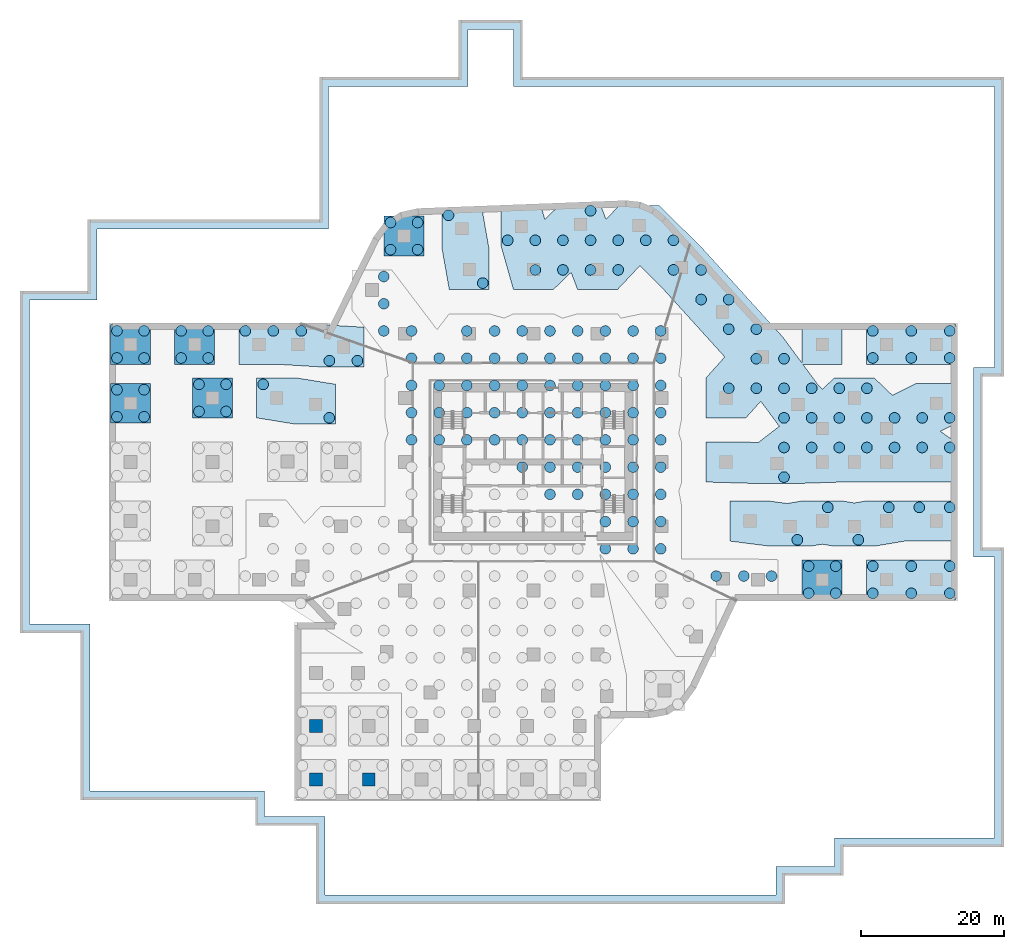
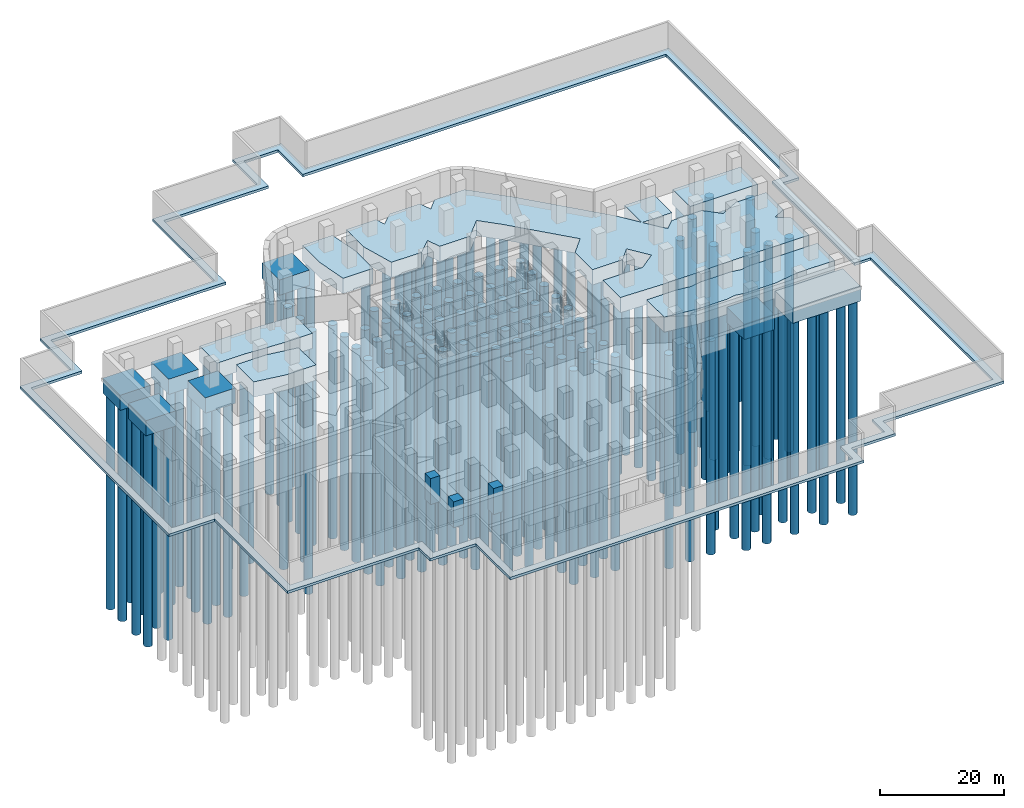
# One storey, part 2 of 12: 164 piles, 14 footings, 3 columns.
"""IFC4 building model written with IfcOpenShell, lengths in metres."""

from ifc_helpers import new_model, si_unit, direction, frame, origin, origin_2d, place, context, subcontext, project, spatial, polyline, rectangle, circle, outline, extrude, material, layer, layer_set, material_profile, profile_set, type_object, element, save


model = new_model("IFC4")

# Units and contexts
model_context = context("Model", 3, precision=1e-05, world=origin(), true_north=direction((0.0, 1.0)))
body_context = subcontext(model_context, "Body", "Model", "MODEL_VIEW")
ifc_project = project(units=[si_unit("LENGTHUNIT", "METRE"), si_unit("AREAUNIT", "SQUARE_METRE"), si_unit("VOLUMEUNIT", "CUBIC_METRE"), si_unit("PLANEANGLEUNIT", "RADIAN"), si_unit("MASSUNIT", "GRAM", prefix="KILO")], contexts=[model_context])

# Site, building, storey
site_placement = place(None, origin())
site = spatial("IfcSite", under=ifc_project, at=site_placement, CompositionType="ELEMENT")
building_placement = place(site_placement, origin())
building = spatial("IfcBuilding", under=site, at=building_placement, Name="Dongbaek Canopy Tower", CompositionType="ELEMENT")
storey_placement = place(building_placement, frame((0.0, 0.0, -17.0)))
storey = spatial("IfcBuildingStorey", under=building, at=storey_placement, Name="B3", CompositionType="ELEMENT", Elevation=-17.0)

# Piles
ifc_material_1 = material(Name="Concrete C40", Category="concrete")
ifc_material_profile_1 = material_profile(ifc_material_1, circle(Radius=0.75, at=origin_2d()), Name="BORED PILE D1500 Concrete C40")
ifc_profile_set_1 = profile_set([ifc_material_profile_1], Name="Concrete C40")
pile_type = type_object("IfcPileType", Name="BORED PILE D1500 Concrete C40", PredefinedType="BORED", material=ifc_profile_set_1)
for number, where, z_axis, x_axis, name in (
    (1, (-58.39990234375, 6.35009765625, -2.85009765625), (0.0, 0.0, -1.0), (1.0, 0.0, 0.0), "PILE:0013"),
    (2, (-58.39990234375, 10.14990234375, -2.85009765625), (0.0, 0.0, -1.0), (1.0, 0.0, 0.0), "PILE:0014"),
    (3, (-54.60009765625, 6.35009765625, -2.85009765625), (0.0, 0.0, -1.0), (1.0, 0.0, 0.0), "PILE:0015"),
    (4, (-54.60009765625, 10.14990234375, -2.85009765625), (0.0, 0.0, -1.0), (1.0, 0.0, 0.0), "PILE:0016"),
    (5, (-58.39990234375, 14.60009765625, -2.85009765625), (0.0, 0.0, -1.0), (1.0, 0.0, 0.0), "PILE:0017"),
    (6, (-58.39990234375, 18.39990234375, -2.85009765625), (0.0, 0.0, -1.0), (1.0, 0.0, 0.0), "PILE:0018"),
    (7, (-54.60009765625, 14.60009765625, -2.85009765625), (0.0, 0.0, -1.0), (1.0, 0.0, 0.0), "PILE:0019"),
    (8, (-54.60009765625, 18.39990234375, -2.85009765625), (0.0, 0.0, -1.0), (1.0, 0.0, 0.0), "PILE:0020"),
    (9, (-49.39990234375, 14.60009765625, -2.85009765625), (0.0, 0.0, -1.0), (1.0, 0.0, 0.0), "PILE:0025"),
    (10, (-49.39990234375, 18.39990234375, -2.85009765625), (0.0, 0.0, -1.0), (1.0, 0.0, 0.0), "PILE:0026"),
    (11, (-45.60009765625, 14.60009765625, -2.85009765625), (0.0, 0.0, -1.0), (1.0, 0.0, 0.0), "PILE:0027"),
    (12, (-45.60009765625, 18.39990234375, -2.85009765625), (0.0, 0.0, -1.0), (1.0, 0.0, 0.0), "PILE:0028"),
    (13, (-46.89990234375, 7.10009765625, -2.85009765625), (0.0, 0.0, -1.0), (1.0, 0.0, 0.0), "PILE:0037"),
    (14, (-46.89990234375, 10.89990234375, -2.85009765625), (0.0, 0.0, -1.0), (1.0, 0.0, 0.0), "PILE:0038"),
    (15, (-43.10009765625, 7.10009765625, -2.85009765625), (0.0, 0.0, -1.0), (1.0, 0.0, 0.0), "PILE:0039"),
    (16, (-43.10009765625, 10.89990234375, -2.85009765625), (0.0, 0.0, -1.0), (1.0, 0.0, 0.0), "PILE:0040"),
    (17, (-20.97900390625, 18.38671875, -3.35009765625), (0.0, 0.0, -1.0), (1.0, 0.0, 0.0), "PILE:0066"),
    (18, (-20.97900390625, 22.205810546875, -3.35009765625), (0.0, 0.0, -1.0), (1.0, 0.0, 0.0), "PILE:0067"),
    (19, (-20.97900390625, 26.02490234375, -3.35009765625), (0.0, 0.0, -1.0), (1.0, 0.0, 0.0), "PILE:0068"),
    (20, (-17.0947265625, 3.1103515625, -3.35009765625), (0.0, 0.0, -1.0), (1.0, 0.0, 0.0), "PILE:0080"),
    (21, (-17.0947265625, 6.929443359375, -3.35009765625), (0.0, 0.0, -1.0), (1.0, 0.0, 0.0), "PILE:0081"),
    (22, (-17.0947265625, 10.74853515625, -3.35009765625), (0.0, 0.0, -1.0), (1.0, 0.0, 0.0), "PILE:0082"),
    (23, (-17.0947265625, 14.567626953125, -3.35009765625), (0.0, 0.0, -1.0), (1.0, 0.0, 0.0), "PILE:0083"),
    (24, (-17.0947265625, 18.38671875, -3.35009765625), (0.0, 0.0, -1.0), (1.0, 0.0, 0.0), "PILE:0084"),
    (25, (-13.21044921875, 3.1103515625, -3.35009765625), (0.0, 0.0, -1.0), (1.0, 0.0, 0.0), "PILE:0096"),
    (26, (-13.21044921875, 6.929443359375, -3.35009765625), (0.0, 0.0, -1.0), (1.0, 0.0, 0.0), "PILE:0097"),
    (27, (-13.21044921875, 10.74853515625, -3.35009765625), (0.0, 0.0, -1.0), (1.0, 0.0, 0.0), "PILE:0098"),
    (28, (-13.21044921875, 14.567626953125, -3.35009765625), (0.0, 0.0, -1.0), (1.0, 0.0, 0.0), "PILE:0099"),
    (29, (-9.326416015625, 3.1103515625, -3.35009765625), (0.0, 0.0, -1.0), (1.0, 0.0, 0.0), "PILE:0111"),
    (30, (-9.326416015625, 6.929443359375, -3.35009765625), (0.0, 0.0, -1.0), (1.0, 0.0, 0.0), "PILE:0112"),
    (31, (-9.326416015625, 10.74853515625, -3.35009765625), (0.0, 0.0, -1.0), (1.0, 0.0, 0.0), "PILE:0113"),
    (32, (-9.326416015625, 14.567626953125, -3.35009765625), (0.0, 0.0, -1.0), (1.0, 0.0, 0.0), "PILE:0114"),
    (33, (-9.326416015625, 18.38671875, -3.35009765625), (0.0, 0.0, -1.0), (1.0, 0.0, 0.0), "PILE:0115"),
    (34, (-5.442138671875, 3.1103515625, -3.35009765625), (0.0, 0.0, -1.0), (1.0, 0.0, 0.0), "PILE:0127"),
    (35, (-5.442138671875, 6.929443359375, -3.35009765625), (0.0, 0.0, -1.0), (1.0, 0.0, 0.0), "PILE:0128"),
    (36, (-5.442138671875, 10.74853515625, -3.35009765625), (0.0, 0.0, -1.0), (1.0, 0.0, 0.0), "PILE:0129"),
    (37, (-5.442138671875, 14.567626953125, -3.35009765625), (0.0, 0.0, -1.0), (1.0, 0.0, 0.0), "PILE:0130"),
    (38, (-5.442138671875, 18.38671875, -3.35009765625), (0.0, 0.0, -1.0), (1.0, 0.0, 0.0), "PILE:0131"),
    (39, (-1.557861328125, -0.708740234375, -3.35009765625), (0.0, 0.0, -1.0), (1.0, 0.0, 0.0), "PILE:0142"),
    (40, (-1.557861328125, 3.1103515625, -3.35009765625), (0.0, 0.0, -1.0), (1.0, 0.0, 0.0), "PILE:0143"),
    (41, (-1.557861328125, 6.929443359375, -3.35009765625), (0.0, 0.0, -1.0), (1.0, 0.0, 0.0), "PILE:0144"),
    (42, (-1.557861328125, 10.74853515625, -3.35009765625), (0.0, 0.0, -1.0), (1.0, 0.0, 0.0), "PILE:0145"),
    (43, (-1.557861328125, 14.567626953125, -3.35009765625), (0.0, 0.0, -1.0), (1.0, 0.0, 0.0), "PILE:0146"),
    (44, (-1.557861328125, 18.38671875, -3.35009765625), (0.0, 0.0, -1.0), (1.0, 0.0, 0.0), "PILE:0147"),
    (45, (2.326416015625, -4.52783203125, -3.35009765625), (0.0, 0.0, -1.0), (1.0, 0.0, 0.0), "PILE:0157"),
    (46, (2.326416015625, -0.708740234375, -3.35009765625), (0.0, 0.0, -1.0), (1.0, 0.0, 0.0), "PILE:0158"),
    (47, (2.326416015625, 3.1103515625, -3.35009765625), (0.0, 0.0, -1.0), (1.0, 0.0, 0.0), "PILE:0159"),
    (48, (2.326416015625, 6.929443359375, -3.35009765625), (0.0, 0.0, -1.0), (1.0, 0.0, 0.0), "PILE:0160"),
    (49, (2.326416015625, 10.74853515625, -3.35009765625), (0.0, 0.0, -1.0), (1.0, 0.0, 0.0), "PILE:0161"),
    (50, (2.326416015625, 14.567626953125, -3.35009765625), (0.0, 0.0, -1.0), (1.0, 0.0, 0.0), "PILE:0162"),
    (51, (2.326416015625, 18.38671875, -3.35009765625), (0.0, 0.0, -1.0), (1.0, 0.0, 0.0), "PILE:0163"),
    (52, (6.21044921875, -4.52783203125, -3.35009765625), (0.0, 0.0, -1.0), (1.0, 0.0, 0.0), "PILE:0173"),
    (53, (6.21044921875, -0.708740234375, -3.35009765625), (0.0, 0.0, -1.0), (1.0, 0.0, 0.0), "PILE:0174"),
    (54, (6.21044921875, 3.1103515625, -3.35009765625), (0.0, 0.0, -1.0), (1.0, 0.0, 0.0), "PILE:0175"),
    (55, (6.21044921875, 6.929443359375, -3.35009765625), (0.0, 0.0, -1.0), (1.0, 0.0, 0.0), "PILE:0176"),
    (56, (6.21044921875, 10.74853515625, -3.35009765625), (0.0, 0.0, -1.0), (1.0, 0.0, 0.0), "PILE:0177"),
    (57, (6.21044921875, 14.567626953125, -3.35009765625), (0.0, 0.0, -1.0), (1.0, 0.0, 0.0), "PILE:0178"),
    (58, (6.21044921875, 18.38671875, -3.35009765625), (0.0, 0.0, -1.0), (1.0, 0.0, 0.0), "PILE:0179"),
    (59, (10.0947265625, -12.166259765625, -3.35009765625), (0.0, 0.0, -1.0), (1.0, 0.0, 0.0), "PILE:0184"),
    (60, (10.0947265625, -8.34716796875, -3.35009765625), (0.0, 0.0, -1.0), (1.0, 0.0, 0.0), "PILE:0185"),
    (61, (10.0947265625, -4.52783203125, -3.35009765625), (0.0, 0.0, -1.0), (1.0, 0.0, 0.0), "PILE:0186"),
    (62, (10.0947265625, -0.708740234375, -3.35009765625), (0.0, 0.0, -1.0), (1.0, 0.0, 0.0), "PILE:0187"),
    (63, (10.0947265625, 3.1103515625, -3.35009765625), (0.0, 0.0, -1.0), (1.0, 0.0, 0.0), "PILE:0188"),
    (64, (10.0947265625, 6.929443359375, -3.35009765625), (0.0, 0.0, -1.0), (1.0, 0.0, 0.0), "PILE:0189"),
    (65, (10.0947265625, 10.74853515625, -3.35009765625), (0.0, 0.0, -1.0), (1.0, 0.0, 0.0), "PILE:0190"),
    (66, (10.0947265625, 14.567626953125, -3.35009765625), (0.0, 0.0, -1.0), (1.0, 0.0, 0.0), "PILE:0191"),
    (67, (10.0947265625, 18.38671875, -3.35009765625), (0.0, 0.0, -1.0), (1.0, 0.0, 0.0), "PILE:0192"),
    (68, (13.97900390625, -12.166259765625, -3.35009765625), (0.0, 0.0, -1.0), (1.0, 0.0, 0.0), "PILE:0194"),
    (69, (13.97900390625, -8.34716796875, -3.35009765625), (0.0, 0.0, -1.0), (1.0, 0.0, 0.0), "PILE:0195"),
    (70, (13.97900390625, -4.52783203125, -3.35009765625), (0.0, 0.0, -1.0), (1.0, 0.0, 0.0), "PILE:0196"),
    (71, (13.97900390625, -0.708740234375, -3.35009765625), (0.0, 0.0, -1.0), (1.0, 0.0, 0.0), "PILE:0197"),
    (72, (13.97900390625, 3.1103515625, -3.35009765625), (0.0, 0.0, -1.0), (1.0, 0.0, 0.0), "PILE:0198"),
    (73, (13.97900390625, 6.929443359375, -3.35009765625), (0.0, 0.0, -1.0), (1.0, 0.0, 0.0), "PILE:0199"),
    (74, (13.97900390625, 10.74853515625, -3.35009765625), (0.0, 0.0, -1.0), (1.0, 0.0, 0.0), "PILE:0200"),
    (75, (13.97900390625, 14.567626953125, -3.35009765625), (0.0, 0.0, -1.0), (1.0, 0.0, 0.0), "PILE:0201"),
    (76, (13.97900390625, 18.38671875, -3.35009765625), (0.0, 0.0, -1.0), (1.0, 0.0, 0.0), "PILE:0202"),
    (77, (17.86328125, -12.166259765625, -3.35009765625), (0.0, 0.0, -1.0), (1.0, 0.0, 0.0), "PILE:0205"),
    (78, (17.86328125, -8.34716796875, -3.35009765625), (0.0, 0.0, -1.0), (1.0, 0.0, 0.0), "PILE:0206"),
    (79, (17.86328125, -4.52783203125, -3.35009765625), (0.0, 0.0, -1.0), (1.0, 0.0, 0.0), "PILE:0207"),
    (80, (17.86328125, -0.708740234375, -3.35009765625), (0.0, 0.0, -1.0), (1.0, 0.0, 0.0), "PILE:0208"),
    (81, (17.86328125, 3.1103515625, -3.35009765625), (0.0, 0.0, -1.0), (1.0, 0.0, 0.0), "PILE:0209"),
    (82, (17.86328125, 6.929443359375, -3.35009765625), (0.0, 0.0, -1.0), (1.0, 0.0, 0.0), "PILE:0210"),
    (83, (17.86328125, 10.74853515625, -3.35009765625), (0.0, 0.0, -1.0), (1.0, 0.0, 0.0), "PILE:0211"),
    (84, (17.86328125, 14.567626953125, -3.35009765625), (0.0, 0.0, -1.0), (1.0, 0.0, 0.0), "PILE:0212"),
    (85, (17.86328125, 18.38671875, -3.35009765625), (0.0, 0.0, -1.0), (1.0, 0.0, 0.0), "PILE:0213"),
    (86, (25.631591796875, -15.9853515625, -3.35009765625), (0.0, 0.0, -1.0), (1.0, 0.0, 0.0), "PILE:0217"),
    (87, (29.515869140625, -15.9853515625, -3.35009765625), (0.0, 0.0, -1.0), (1.0, 0.0, 0.0), "PILE:0218"),
    (88, (33.39990234375, -15.9853515625, -3.35009765625), (0.0, 0.0, -1.0), (1.0, 0.0, 0.0), "PILE:0219"),
    (89, (-40.39990234375, 18.39990234375, -2.85009765625), (0.0, 0.0, -1.0), (1.0, 0.0, 0.0), "PILE:0220"),
    (90, (-36.471435546875, 18.39990234375, -2.85009765625), (0.0, 0.0, -1.0), (1.0, 0.0, 0.0), "PILE:0221"),
    (91, (-32.54296875, 18.39990234375, -2.85009765625), (0.0, 0.0, -1.0), (1.0, 0.0, 0.0), "PILE:0222"),
    (92, (-28.614501953125, 14.218017578125, -2.85009765625), (0.0, 0.0, -1.0), (1.0, 0.0, 0.0), "PILE:0223"),
    (93, (-24.68603515625, 14.218017578125, -2.85009765625), (0.0, 0.0, -1.0), (1.0, 0.0, 0.0), "PILE:0224"),
    (94, (-37.89990234375, 10.89990234375, -2.85009765625), (0.0, 0.0, -1.0), (1.0, 0.0, 0.0), "PILE:0225"),
    (95, (-28.625, 6.2109375, -2.85009765625), (0.0, 0.0, -1.0), (1.0, 0.0, 0.0), "PILE:0226"),
    (96, (-20.0390625, 29.799072265625, -2.85009765625), (0.0, 0.0, -1.0), (1.0, 0.0, 0.0), "PILE:0251"),
    (97, (-20.0390625, 33.59912109375, -2.85009765625), (0.0, 0.0, -1.0), (1.0, 0.0, 0.0), "PILE:0252"),
    (98, (-16.239013671875, 29.799072265625, -2.85009765625), (0.0, 0.0, -1.0), (1.0, 0.0, 0.0), "PILE:0253"),
    (99, (-16.239013671875, 33.59912109375, -2.85009765625), (0.0, 0.0, -1.0), (1.0, 0.0, 0.0), "PILE:0254"),
    (100, (-11.906005859375, 34.614013671875, -2.85009765625), (0.0, 0.0, -1.0), (1.0, 0.0, 0.0), "PILE:0259"),
    (101, (-7.10009765625, 25.10009765625, -2.85009765625), (0.0, 0.0, -1.0), (1.0, 0.0, 0.0), "PILE:0260"),
    (102, (-3.60791015625, 31.0986328125, -2.85009765625), (0.0, 0.0, -1.0), (1.0, 0.0, 0.0), "PILE:0265"),
    (103, (0.267578125, 26.947998046875, -2.85009765625), (0.0, 0.0, -1.0), (1.0, 0.0, 0.0), "PILE:0266"),
    (104, (0.267578125, 31.0986328125, -2.85009765625), (0.0, 0.0, -1.0), (1.0, 0.0, 0.0), "PILE:0267"),
    (105, (4.14306640625, 26.947998046875, -2.85009765625), (0.0, 0.0, -1.0), (1.0, 0.0, 0.0), "PILE:0268"),
    (106, (4.14306640625, 31.0986328125, -2.85009765625), (0.0, 0.0, -1.0), (1.0, 0.0, 0.0), "PILE:0269"),
    (107, (8.0185546875, 26.947998046875, -2.85009765625), (0.0, 0.0, -1.0), (1.0, 0.0, 0.0), "PILE:0270"),
    (108, (8.0185546875, 31.0986328125, -2.85009765625), (0.0, 0.0, -1.0), (1.0, 0.0, 0.0), "PILE:0271"),
    (109, (8.0185546875, 35.2490234375, -2.85009765625), (0.0, 0.0, -1.0), (1.0, 0.0, 0.0), "PILE:0272"),
    (110, (11.89404296875, 26.947998046875, -2.85009765625), (0.0, 0.0, -1.0), (1.0, 0.0, 0.0), "PILE:0273"),
    (111, (11.89404296875, 31.0986328125, -2.85009765625), (0.0, 0.0, -1.0), (1.0, 0.0, 0.0), "PILE:0274"),
    (112, (15.76953125, 31.0986328125, -2.85009765625), (0.0, 0.0, -1.0), (1.0, 0.0, 0.0), "PILE:0275"),
    (113, (19.64501953125, 26.947998046875, -2.85009765625), (0.0, 0.0, -1.0), (1.0, 0.0, 0.0), "PILE:0276"),
    (114, (19.64501953125, 31.0986328125, -2.85009765625), (0.0, 0.0, -1.0), (1.0, 0.0, 0.0), "PILE:0277"),
    (115, (23.5205078125, 22.797607421875, -2.85009765625), (0.0, 0.0, -1.0), (1.0, 0.0, 0.0), "PILE:0278"),
    (116, (23.5205078125, 26.947998046875, -2.85009765625), (0.0, 0.0, -1.0), (1.0, 0.0, 0.0), "PILE:0279"),
    (117, (27.39599609375, 10.34619140625, -2.85009765625), (0.0, 0.0, -1.0), (1.0, 0.0, 0.0), "PILE:0280"),
    (118, (27.39599609375, 18.647216796875, -2.85009765625), (0.0, 0.0, -1.0), (1.0, 0.0, 0.0), "PILE:0281"),
    (119, (27.39599609375, 22.797607421875, -2.85009765625), (0.0, 0.0, -1.0), (1.0, 0.0, 0.0), "PILE:0282"),
    (120, (31.271484375, 10.34619140625, -2.85009765625), (0.0, 0.0, -1.0), (1.0, 0.0, 0.0), "PILE:0283"),
    (121, (31.271484375, 14.496826171875, -2.85009765625), (0.0, 0.0, -1.0), (1.0, 0.0, 0.0), "PILE:0284"),
    (122, (31.271484375, 18.647216796875, -2.85009765625), (0.0, 0.0, -1.0), (1.0, 0.0, 0.0), "PILE:0285"),
    (123, (35.14697265625, -2.10498046875, -2.85009765625), (0.0, 0.0, -1.0), (1.0, 0.0, 0.0), "PILE:0286"),
    (124, (35.14697265625, 2.04541015625, -2.85009765625), (0.0, 0.0, -1.0), (1.0, 0.0, 0.0), "PILE:0287"),
    (125, (35.14697265625, 6.19580078125, -2.85009765625), (0.0, 0.0, -1.0), (1.0, 0.0, 0.0), "PILE:0288"),
    (126, (35.14697265625, 10.34619140625, -2.85009765625), (0.0, 0.0, -1.0), (1.0, 0.0, 0.0), "PILE:0289"),
    (127, (35.14697265625, 14.496826171875, -2.85009765625), (0.0, 0.0, -1.0), (1.0, 0.0, 0.0), "PILE:0290"),
    (128, (39.0224609375, 2.04541015625, -2.85009765625), (0.0, 0.0, -1.0), (1.0, 0.0, 0.0), "PILE:0291"),
    (129, (39.0224609375, 6.19580078125, -2.85009765625), (0.0, 0.0, -1.0), (1.0, 0.0, 0.0), "PILE:0292"),
    (130, (39.0224609375, 10.34619140625, -2.85009765625), (0.0, 0.0, -1.0), (1.0, 0.0, 0.0), "PILE:0293"),
    (131, (42.89794921875, 2.04541015625, -2.85009765625), (0.0, 0.0, -1.0), (1.0, 0.0, 0.0), "PILE:0294"),
    (132, (42.89794921875, 6.19580078125, -2.85009765625), (0.0, 0.0, -1.0), (1.0, 0.0, 0.0), "PILE:0295"),
    (133, (42.89794921875, 10.34619140625, -2.85009765625), (0.0, 0.0, -1.0), (1.0, 0.0, 0.0), "PILE:0296"),
    (134, (46.7734375, 2.04541015625, -2.85009765625), (0.0, 0.0, -1.0), (1.0, 0.0, 0.0), "PILE:0297"),
    (135, (46.7734375, 6.19580078125, -2.85009765625), (0.0, 0.0, -1.0), (1.0, 0.0, 0.0), "PILE:0298"),
    (136, (46.7734375, 10.34619140625, -2.85009765625), (0.0, 0.0, -1.0), (1.0, 0.0, 0.0), "PILE:0299"),
    (137, (50.64892578125, 2.04541015625, -2.85009765625), (0.0, 0.0, -1.0), (1.0, 0.0, 0.0), "PILE:0300"),
    (138, (50.64892578125, 6.19580078125, -2.85009765625), (0.0, 0.0, -1.0), (1.0, 0.0, 0.0), "PILE:0301"),
    (139, (54.5244140625, 2.04541015625, -2.85009765625), (0.0, 0.0, -1.0), (1.0, 0.0, 0.0), "PILE:0302"),
    (140, (54.5244140625, 6.19580078125, -2.85009765625), (0.0, 0.0, -1.0), (1.0, 0.0, 0.0), "PILE:0303"),
    (141, (58.39990234375, 2.04541015625, -2.85009765625), (0.0, 0.0, -1.0), (1.0, 0.0, 0.0), "PILE:0304"),
    (142, (58.39990234375, 6.19580078125, -2.85009765625), (0.0, 0.0, -1.0), (1.0, 0.0, 0.0), "PILE:0305"),
    (143, (37.014404296875, -10.89990234375, -2.85009765625), (0.0, 0.0, -1.0), (1.0, 0.0, 0.0), "PILE:0318"),
    (144, (41.29150390625, -6.35009765625, -2.85009765625), (0.0, 0.0, -1.0), (1.0, 0.0, 0.0), "PILE:0319"),
    (145, (45.568603515625, -10.89990234375, -2.85009765625), (0.0, 0.0, -1.0), (1.0, 0.0, 0.0), "PILE:0320"),
    (146, (49.845703125, -6.35009765625, -2.85009765625), (0.0, 0.0, -1.0), (1.0, 0.0, 0.0), "PILE:0321"),
    (147, (54.122802734375, -6.35009765625, -2.85009765625), (0.0, 0.0, -1.0), (1.0, 0.0, 0.0), "PILE:0322"),
    (148, (58.39990234375, -6.35009765625, -2.85009765625), (0.0, 0.0, -1.0), (1.0, 0.0, 0.0), "PILE:0323"),
    (149, (38.60009765625, -18.39990234375, -2.85009765625), (0.0, 0.0, -1.0), (1.0, 0.0, 0.0), "PILE:0324"),
    (150, (38.60009765625, -14.60009765625, -2.85009765625), (0.0, 0.0, -1.0), (1.0, 0.0, 0.0), "PILE:0325"),
    (151, (42.39990234375, -18.39990234375, -2.85009765625), (0.0, 0.0, -1.0), (1.0, 0.0, 0.0), "PILE:0326"),
    (152, (42.39990234375, -14.60009765625, -2.85009765625), (0.0, 0.0, -1.0), (1.0, 0.0, 0.0), "PILE:0327"),
    (153, (47.60009765625, -18.39990234375, -2.85009765625), (0.0, 0.0, -1.0), (1.0, 0.0, 0.0), "PILE:0328"),
    (154, (47.60009765625, -14.60009765625, -2.85009765625), (0.0, 0.0, -1.0), (1.0, 0.0, 0.0), "PILE:0329"),
    (155, (53.0, -18.39990234375, -2.85009765625), (0.0, 0.0, -1.0), (1.0, 0.0, 0.0), "PILE:0330"),
    (156, (53.0, -14.60009765625, -2.85009765625), (0.0, 0.0, -1.0), (1.0, 0.0, 0.0), "PILE:0331"),
    (157, (58.39990234375, -18.39990234375, -2.85009765625), (0.0, 0.0, -1.0), (1.0, 0.0, 0.0), "PILE:0332"),
    (158, (58.39990234375, -14.60009765625, -2.85009765625), (0.0, 0.0, -1.0), (1.0, 0.0, 0.0), "PILE:0333"),
    (159, (47.60009765625, 14.60009765625, -2.85009765625), (0.0, 0.0, -1.0), (1.0, 0.0, 0.0), "PILE:0334"),
    (160, (47.60009765625, 18.39990234375, -2.85009765625), (0.0, 0.0, -1.0), (1.0, 0.0, 0.0), "PILE:0335"),
    (161, (53.0, 14.60009765625, -2.85009765625), (0.0, 0.0, -1.0), (1.0, 0.0, 0.0), "PILE:0336"),
    (162, (53.0, 18.39990234375, -2.85009765625), (0.0, 0.0, -1.0), (1.0, 0.0, 0.0), "PILE:0337"),
    (163, (58.39990234375, 14.60009765625, -2.85009765625), (0.0, 0.0, -1.0), (1.0, 0.0, 0.0), "PILE:0338"),
    (164, (58.39990234375, 18.39990234375, -2.85009765625), (0.0, 0.0, -1.0), (1.0, 0.0, 0.0), "PILE:0339"),
):
    element("IfcPile", number, at=place(storey_placement, frame(where, z_axis=z_axis, x_axis=x_axis)), inside=storey, type_object=pile_type, Name=name, PredefinedType="BORED", context=body_context, shape_type="SweptSolid", body=[
        extrude(circle(Radius=0.75, at=origin_2d()), origin(), (0.0, 0.0, 1.0), 42.0),
    ])

# Footings
ifc_material_2 = material(Name="Concrete C40", Category="concrete")
ifc_layer_1 = layer(ifc_material_2, 3.0)
ifc_layer_set_1 = layer_set([ifc_layer_1], Name="PILE CAP 3000 Concrete C40")
footing_type_1 = type_object("IfcFootingType", Name="PILE CAP 3000 Concrete C40", PredefinedType="PILE_CAP", material=ifc_layer_set_1)
footing_1_placement = place(storey_placement, frame((0.0, 0.0, -3.0)))
element("IfcFooting", 165, at=footing_1_placement, inside=storey, type_object=footing_type_1, Name="FOOT:PC-04", PredefinedType="PILE_CAP", context=body_context, shape_type="SweptSolid", body=[
    extrude(outline(polyline([(-53.699951171875, 5.449951171875), (-53.699951171875, 11.050048828125), (-59.300048828125, 11.050048828125), (-59.300048828125, 5.449951171875), (-53.699951171875, 5.449951171875)])), origin(), (0.0, 0.0, 1.0), 3.0),
])
footing_2_placement = place(storey_placement, frame((0.0, 0.0, -3.0)))
element("IfcFooting", 166, at=footing_2_placement, inside=storey, type_object=footing_type_1, Name="FOOT:PC-05", PredefinedType="PILE_CAP", context=body_context, shape_type="SweptSolid", body=[
    extrude(outline(polyline([(-53.699951171875, 13.699951171875), (-53.699951171875, 19.300048828125), (-59.300048828125, 19.300048828125), (-59.300048828125, 13.699951171875), (-53.699951171875, 13.699951171875)])), origin(), (0.0, 0.0, 1.0), 3.0),
])
footing_3_placement = place(storey_placement, frame((0.0, 0.0, -3.0)))
element("IfcFooting", 167, at=footing_3_placement, inside=storey, type_object=footing_type_1, Name="FOOT:PC-07", PredefinedType="PILE_CAP", context=body_context, shape_type="SweptSolid", body=[
    extrude(outline(polyline([(-44.699951171875, 13.699951171875), (-44.699951171875, 19.300048828125), (-50.300048828125, 19.300048828125), (-50.300048828125, 13.699951171875), (-44.699951171875, 13.699951171875)])), origin(), (0.0, 0.0, 1.0), 3.0),
])
footing_4_placement = place(storey_placement, frame((0.0, 0.0, -3.0)))
element("IfcFooting", 168, at=footing_4_placement, inside=storey, type_object=footing_type_1, Name="FOOT:PC-10", PredefinedType="PILE_CAP", context=body_context, shape_type="SweptSolid", body=[
    extrude(outline(polyline([(-42.199951171875, 6.199951171875), (-42.199951171875, 11.800048828125), (-47.800048828125, 11.800048828125), (-47.800048828125, 6.199951171875), (-42.199951171875, 6.199951171875)])), origin(), (0.0, 0.0, 1.0), 3.0),
])
footing_5_placement = place(storey_placement, frame((0.0, 0.0, -3.0)))
element("IfcFooting", 169, at=footing_5_placement, inside=storey, type_object=footing_type_1, Name="FOOT:PC-12", PredefinedType="PILE_CAP", context=body_context, shape_type="SweptSolid", body=[
    extrude(outline(polyline([(-29.385986328125, 13.318115234375), (-35.800048828125, 13.699951171875), (-41.300048828125, 13.699951171875), (-41.300048828125, 19.300048828125), (-35.800048828125, 19.300048828125), (-35.699951171875, 19.300048828125), (-30.199951171875, 19.300048828125), (-23.785888671875, 18.91796875), (-23.785888671875, 13.318115234375), (-29.385986328125, 13.318115234375)])), origin(), (0.0, 0.0, 1.0), 3.0),
])
footing_6_placement = place(storey_placement, frame((0.0, 0.0, -3.0)))
element("IfcFooting", 170, at=footing_6_placement, inside=storey, type_object=footing_type_1, Name="FOOT:PC-13", PredefinedType="PILE_CAP", context=body_context, shape_type="SweptSolid", body=[
    extrude(outline(polyline([(-27.72509765625, 5.31103515625), (-33.324951171875, 5.31103515625), (-38.800048828125, 6.199951171875), (-38.800048828125, 11.800048828125), (-33.199951171875, 11.800048828125), (-27.72509765625, 10.910888671875), (-27.72509765625, 5.31103515625)])), origin(), (0.0, 0.0, 1.0), 3.0),
])
footing_7_placement = place(storey_placement, frame((0.0, 0.0, -3.0)))
element("IfcFooting", 171, at=footing_7_placement, inside=storey, type_object=footing_type_1, Name="FOOT:PC-20", PredefinedType="PILE_CAP", context=body_context, shape_type="SweptSolid", body=[
    extrude(outline(polyline([(-15.339111328125, 28.89892578125), (-15.339111328125, 34.4990234375), (-20.93896484375, 34.4990234375), (-20.93896484375, 28.89892578125), (-15.339111328125, 28.89892578125)])), origin(), (0.0, 0.0, 1.0), 3.0),
])
footing_8_placement = place(storey_placement, frame((0.0, 0.0, -3.0)))
element("IfcFooting", 172, at=footing_8_placement, inside=storey, type_object=footing_type_1, Name="FOOT:PC-22", PredefinedType="PILE_CAP", context=body_context, shape_type="SweptSolid", body=[
    extrude(outline(polyline([(-6.199951171875, 24.199951171875), (-11.800048828125, 24.199951171875), (-12.805908203125, 29.9140625), (-12.805908203125, 35.513916015625), (-7.2060546875, 35.513916015625), (-6.199951171875, 29.800048828125), (-6.199951171875, 24.199951171875)])), origin(), (0.0, 0.0, 1.0), 3.0),
])
footing_9_placement = place(storey_placement, frame((0.0, 0.0, -3.0)))
element("IfcFooting", 173, at=footing_9_placement, inside=storey, type_object=footing_type_1, Name="FOOT:PC-24", PredefinedType="PILE_CAP", context=body_context, shape_type="SweptSolid", body=[
    extrude(outline(polyline([(29.800048828125, 2.800048828125), (31.543701171875, 2.75), (34.52001953125, 5.04638671875), (34.298095703125, 5.26611328125), (31.887939453125, 8.531982421875), (29.800048828125, 6.199951171875), (24.199951171875, 6.199951171875), (24.199951171875, 11.800048828125), (26.8369140625, 14.7451171875), (23.681884765625, 18.22900390625), (18.0048828125, 24.4970703125), (14.93310546875, 27.52880859375), (11.800048828125, 24.199951171875), (6.199951171875, 24.199951171875), (5.289306640625, 26.598388671875), (2.800048828125, 24.199951171875), (-2.800048828125, 24.199951171875), (-4.508056640625, 30.23193359375), (-4.508056640625, 35.83203125), (1.092041015625, 35.83203125), (1.599609375, 34.039306640625), (3.7890625, 36.14892578125), (9.388916015625, 36.14892578125), (10.190185546875, 34.039306640625), (12.030029296875, 35.993896484375), (17.6298828125, 35.993896484375), (23.60498046875, 30.096923828125), (29.281982421875, 23.8291015625), (34.9580078125, 17.56103515625), (37.699951171875, 13.844970703125), (37.699951171875, 19.300048828125), (43.300048828125, 19.300048828125), (43.300048828125, 13.699951171875), (37.806884765625, 13.699951171875), (39.89794921875, 10.865966796875), (40.548583984375, 10.22216796875), (42.199951171875, 11.800048828125), (47.800048828125, 11.800048828125), (50.3583984375, 9.355224609375), (53.699951171875, 11.050048828125), (59.300048828125, 11.050048828125), (59.300048828125, 5.449951171875), (57.051513671875, 4.309814453125), (59.300048828125, 2.800048828125), (59.300048828125, -2.800048828125), (53.699951171875, -2.800048828125), (52.300048828125, -2.800048828125), (47.800048828125, -2.800048828125), (46.699951171875, -2.800048828125), (43.300048828125, -2.800048828125), (36.943115234375, -3.0048828125), (31.343017578125, -3.0048828125), (24.199951171875, -2.800048828125), (24.199951171875, 2.800048828125), (29.800048828125, 2.800048828125)])), origin(), (0.0, 0.0, 1.0), 3.0),
])
footing_10_placement = place(storey_placement, frame((0.0, 0.0, -3.0)))
element("IfcFooting", 174, at=footing_10_placement, inside=storey, type_object=footing_type_1, Name="FOOT:PC-28", PredefinedType="PILE_CAP", context=body_context, shape_type="SweptSolid", body=[
    extrude(outline(polyline([(27.56005859375, -11.083984375), (27.56005859375, -5.48388671875), (33.159912109375, -5.48388671875), (35.621337890625, -5.79638671875), (37.699951171875, -5.449951171875), (43.300048828125, -5.449951171875), (45.0, -5.7333984375), (46.699951171875, -5.449951171875), (52.300048828125, -5.449951171875), (53.699951171875, -5.449951171875), (59.300048828125, -5.449951171875), (59.300048828125, -11.050048828125), (53.699951171875, -11.050048828125), (52.300048828125, -11.050048828125), (47.800048828125, -11.800048828125), (42.199951171875, -11.800048828125), (40.5, -11.5166015625), (38.800048828125, -11.800048828125), (33.199951171875, -11.800048828125), (27.56005859375, -11.083984375)])), origin(), (0.0, 0.0, 1.0), 3.0),
])
footing_11_placement = place(storey_placement, frame((0.0, 0.0, -3.0)))
element("IfcFooting", 175, at=footing_11_placement, inside=storey, type_object=footing_type_1, Name="FOOT:PC-29", PredefinedType="PILE_CAP", context=body_context, shape_type="SweptSolid", body=[
    extrude(outline(polyline([(43.300048828125, -19.300048828125), (43.300048828125, -13.699951171875), (37.699951171875, -13.699951171875), (37.699951171875, -19.300048828125), (43.300048828125, -19.300048828125)])), origin(), (0.0, 0.0, 1.0), 3.0),
])
footing_12_placement = place(storey_placement, frame((0.0, 0.0, -3.0)))
element("IfcFooting", 176, at=footing_12_placement, inside=storey, type_object=footing_type_1, Name="FOOT:PC-30", PredefinedType="PILE_CAP", context=body_context, shape_type="SweptSolid", body=[
    extrude(outline(polyline([(52.300048828125, -13.699951171875), (53.699951171875, -13.699951171875), (59.300048828125, -13.699951171875), (59.300048828125, -19.300048828125), (53.699951171875, -19.300048828125), (52.300048828125, -19.300048828125), (46.699951171875, -19.300048828125), (46.699951171875, -13.699951171875), (52.300048828125, -13.699951171875)])), origin(), (0.0, 0.0, 1.0), 3.0),
])
footing_13_placement = place(storey_placement, frame((0.0, 0.0, -3.0)))
element("IfcFooting", 177, at=footing_13_placement, inside=storey, type_object=footing_type_1, Name="FOOT:PC-31", PredefinedType="PILE_CAP", context=body_context, shape_type="SweptSolid", body=[
    extrude(outline(polyline([(52.300048828125, 19.300048828125), (53.699951171875, 19.300048828125), (59.300048828125, 19.300048828125), (59.300048828125, 13.699951171875), (53.699951171875, 13.699951171875), (52.300048828125, 13.699951171875), (46.699951171875, 13.699951171875), (46.699951171875, 19.300048828125), (52.300048828125, 19.300048828125)])), origin(), (0.0, 0.0, 1.0), 3.0),
])
ifc_material_3 = material(Name="Concrete C40/50", Category="concrete")
ifc_layer_2 = layer(ifc_material_3, 0.5)
ifc_layer_set_2 = layer_set([ifc_layer_2], Name="Plaza plinth strip footing 1200 x 500")
footing_type_2 = type_object("IfcFootingType", Name="Plaza plinth strip footing 1200 x 500", PredefinedType="STRIP_FOOTING", material=ifc_layer_set_2)
footing_14_placement = place(storey_placement, frame((0.0, 0.0, -0.5)))
element("IfcFooting", 178, at=footing_14_placement, inside=storey, type_object=footing_type_2, Name="Plaza plinth footing 1", PredefinedType="STRIP_FOOTING", context=body_context, shape_type="SweptSolid", body=[
    extrude(outline(polyline([(-62.5, 34.0), (-30.0, 34.0), (-30.0, 54.0), (-10.5, 54.0), (-10.5, 62.0), (-1.5, 62.0), (-1.5, 54.0), (66.0, 54.0), (66.0, 12.0), (63.0, 12.0), (63.0, -12.0), (66.0, -12.0), (66.0, -54.0), (43.5, -54.0), (43.5, -58.0), (35.300048828125, -58.0), (35.300048828125, -62.0), (12.5, -62.0), (-30.5, -62.0), (-30.5, -51.0), (-39.0, -51.0), (-39.0, -47.39990234375), (-63.5, -47.39990234375), (-63.5, -24.0), (-72.0, -24.0), (-72.0, 24.0), (-62.5, 24.0), (-62.5, 34.0)]), holes=[polyline([(-70.699951171875, 22.699951171875), (-70.699951171875, -22.699951171875), (-62.199951171875, -22.699951171875), (-62.199951171875, -46.10009765625), (-37.699951171875, -46.10009765625), (-37.699951171875, -49.699951171875), (-29.199951171875, -49.699951171875), (-29.199951171875, -60.699951171875), (34.0, -60.699951171875), (34.0, -56.699951171875), (42.199951171875, -56.699951171875), (42.199951171875, -52.699951171875), (64.699951171875, -52.699951171875), (64.699951171875, -13.300048828125), (61.699951171875, -13.300048828125), (61.699951171875, 13.300048828125), (64.699951171875, 13.300048828125), (64.699951171875, 52.699951171875), (-2.800048828125, 52.699951171875), (-2.800048828125, 60.699951171875), (-9.199951171875, 60.699951171875), (-9.199951171875, 52.699951171875), (-28.699951171875, 52.699951171875), (-28.699951171875, 32.699951171875), (-61.199951171875, 32.699951171875), (-61.199951171875, 22.699951171875), (-70.699951171875, 22.699951171875)])]), origin(), (0.0, 0.0, 1.0), 0.5),
])

# Columns
ifc_material_4 = material(Name="Concrete C80", Category="concrete")
ifc_material_profile_2 = material_profile(ifc_material_4, rectangle(XDim=1.800048828125, YDim=1.800048828125, at=origin_2d()), Name="RC COLUMN 1800x1800 C80")
ifc_profile_set_2 = profile_set([ifc_material_profile_2], Name="Concrete C80")
column_type = type_object("IfcColumnType", Name="RC COLUMN 1800x1800 C80", PredefinedType="COLUMN", material=ifc_profile_set_2)
for number, where, z_axis, x_axis, name in (
    (179, (-30.5, -44.5, 0.0), (0.0, 0.0, 1.0), (1.0, 0.0, 0.0), "COL:CX-16:B3"),
    (180, (-30.5, -37.0, 0.0), (0.0, 0.0, 1.0), (1.0, 0.0, 0.0), "COL:CX-17:B3"),
    (181, (-23.10009765625, -44.5, 0.0), (0.0, 0.0, 1.0), (1.0, 0.0, 0.0), "COL:CX-20:B3"),
):
    element("IfcColumn", number, at=place(storey_placement, frame(where, z_axis=z_axis, x_axis=x_axis)), inside=storey, type_object=column_type, Name=name, PredefinedType="COLUMN", context=body_context, shape_type="SweptSolid", body=[
        extrude(rectangle(XDim=1.800048828125, YDim=1.800048828125, at=origin_2d()), origin(), (0.0, 0.0, 1.0), 5.10009765625),
    ])

save(model, "model.ifc")
